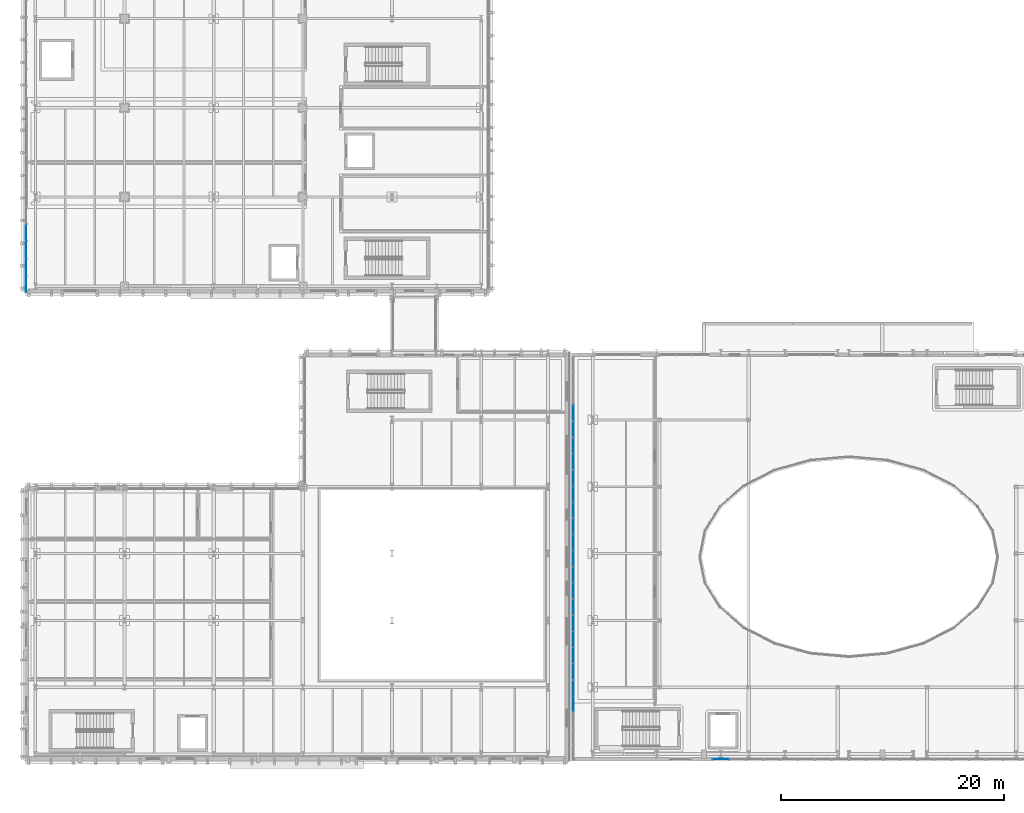
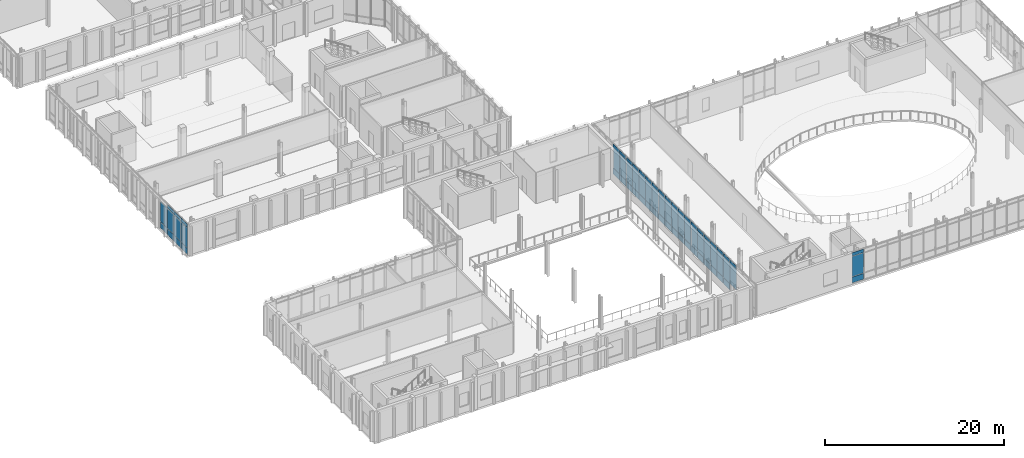
# One storey, part 48 of 100: 70 plates, 7 elements without a shape of their own.
"""IFC4 building model written with IfcOpenShell, lengths in metres."""

from ifc_helpers import new_model, si_unit, direction, frame, origin, origin_2d, place, context, subcontext, project, spatial, rectangle, extrude, material, layer, layer_set, type_object, element, aggregate, save


model = new_model("IFC4")

# Units and contexts
model_context = context("Model", 3, precision=1e-05, world=origin(), true_north=direction((0.0, 1.0)))
body_context = subcontext(model_context, "Body", "Model", "MODEL_VIEW")
ifc_project = project(units=[si_unit("LENGTHUNIT", "METRE"), si_unit("AREAUNIT", "SQUARE_METRE"), si_unit("VOLUMEUNIT", "CUBIC_METRE"), si_unit("PLANEANGLEUNIT", "RADIAN"), si_unit("MASSUNIT", "GRAM", prefix="KILO")], contexts=[model_context])

# Site, building, storey
site_placement = place(None, origin())
site = spatial("IfcSite", under=ifc_project, at=site_placement, CompositionType="ELEMENT")
building_placement = place(site_placement, origin())
building = spatial("IfcBuilding", under=site, at=building_placement, Name="Cymarion Research Institute", CompositionType="ELEMENT")
storey_placement = place(building_placement, frame((0.0, 0.0, 4.800048828125)))
storey = spatial("IfcBuildingStorey", under=building, at=storey_placement, Name="L01", CompositionType="ELEMENT", Elevation=4.800048828125)

# Curtain wall, plates
ifc_material_1 = material(Name="Anodised aluminium unitised curtain wall with Low-E glazing", Category="aluminium")
curtain_wall_type_1 = type_object("IfcCurtainWallType", Name="UNITISED CURTAIN WALL CW07 6150X4250", PredefinedType="NOTDEFINED", material=ifc_material_1)
curtain_wall_1_placement = place(storey_placement, origin())
curtain_wall_1 = element("IfcCurtainWall", 1, at=curtain_wall_1_placement, inside=storey, type_object=curtain_wall_type_1, Name="L01 V2 unitised curtain wall CW07 #13", PredefinedType="NOTDEFINED")
ifc_material_2 = material(Name="Insulated anodised aluminium spandrel panel", Category="aluminium")
ifc_layer_1 = layer(ifc_material_2, 0.06005859375)
ifc_layer_set_1 = layer_set([ifc_layer_1], Name="Insulated anodised aluminium spandrel panel")
plate_type_1 = type_object("IfcPlateType", Name="INSULATED ALUMINIUM SPANDREL PANEL SP01 60MM", PredefinedType="SHEET", material=ifc_layer_set_1)
plate_1_placement = place(storey_placement, frame((68.084716796875, 5.06005859375, 0.059814453125), z_axis=(0.0, 0.0, 1.0), x_axis=(1.0, 0.0, 0.0)))
plate_1 = element("IfcPlate", 2, at=plate_1_placement, type_object=plate_type_1, Name="CW07 panel 1.1", PredefinedType="SHEET", context=body_context, shape_type="SweptSolid", body=[
    extrude(rectangle(XDim=1.447265625, YDim=0.06005859375, at=origin_2d()), origin(), (0.0, 0.0, 1.0), 0.81005859375),
])
plate_2_placement = place(storey_placement, frame((68.084716796875, 5.06005859375, 3.72998046875), z_axis=(0.0, 0.0, 1.0), x_axis=(1.0, 0.0, 0.0)))
plate_2 = element("IfcPlate", 3, at=plate_2_placement, type_object=plate_type_1, Name="CW07 panel 1.3", PredefinedType="SHEET", context=body_context, shape_type="SweptSolid", body=[
    extrude(rectangle(XDim=1.447265625, YDim=0.06005859375, at=origin_2d()), origin(), (0.0, 0.0, 1.0), 0.4599609375),
])

curtain_wall_type_2 = type_object("IfcCurtainWallType", Name="UNITISED CURTAIN WALL CW14 7260X4250", PredefinedType="NOTDEFINED", material=ifc_material_1)
curtain_wall_2_placement = place(storey_placement, origin())
curtain_wall_2 = element("IfcCurtainWall", 4, at=curtain_wall_2_placement, inside=storey, type_object=curtain_wall_type_2, Name="L01 V2 unitised curtain wall CW14 #29", PredefinedType="NOTDEFINED")
plate_3_placement = place(storey_placement, frame((54.860107421875, 36.100830078125, 0.059814453125), z_axis=(0.0, 0.0, 1.0), x_axis=(0.0, -1.0, 0.0)))
plate_3 = element("IfcPlate", 5, at=plate_3_placement, type_object=plate_type_1, Name="CW14 panel 4.1", PredefinedType="SHEET", context=body_context, shape_type="SweptSolid", body=[
    extrude(rectangle(XDim=1.39111328125, YDim=0.06005859375, at=origin_2d()), origin(), (0.0, 0.0, 1.0), 0.81005859375),
])
plate_4_placement = place(storey_placement, frame((54.860107421875, 36.100830078125, 3.72998046875), z_axis=(0.0, 0.0, 1.0), x_axis=(0.0, -1.0, 0.0)))
plate_4 = element("IfcPlate", 6, at=plate_4_placement, type_object=plate_type_1, Name="CW14 panel 4.3", PredefinedType="SHEET", context=body_context, shape_type="SweptSolid", body=[
    extrude(rectangle(XDim=1.39111328125, YDim=0.06005859375, at=origin_2d()), origin(), (0.0, 0.0, 1.0), 0.4599609375),
])
plate_5_placement = place(storey_placement, frame((54.860107421875, 34.66455078125, 0.059814453125), z_axis=(0.0, 0.0, 1.0), x_axis=(0.0, -1.0, 0.0)))
plate_5 = element("IfcPlate", 7, at=plate_5_placement, type_object=plate_type_1, Name="CW14 panel 5.1", PredefinedType="SHEET", context=body_context, shape_type="SweptSolid", body=[
    extrude(rectangle(XDim=1.361083984375, YDim=0.06005859375, at=origin_2d()), origin(), (0.0, 0.0, 1.0), 0.81005859375),
])
plate_6_placement = place(storey_placement, frame((54.860107421875, 34.66455078125, 3.72998046875), z_axis=(0.0, 0.0, 1.0), x_axis=(0.0, -1.0, 0.0)))
plate_6 = element("IfcPlate", 8, at=plate_6_placement, type_object=plate_type_1, Name="CW14 panel 5.3", PredefinedType="SHEET", context=body_context, shape_type="SweptSolid", body=[
    extrude(rectangle(XDim=1.361083984375, YDim=0.06005859375, at=origin_2d()), origin(), (0.0, 0.0, 1.0), 0.4599609375),
])

curtain_wall_3_placement = place(storey_placement, origin())
curtain_wall_3 = element("IfcCurtainWall", 9, at=curtain_wall_3_placement, inside=storey, type_object=curtain_wall_type_2, Name="L01 V2 unitised curtain wall CW14 #30", PredefinedType="NOTDEFINED")
plate_7_placement = place(storey_placement, frame((54.860107421875, 33.183349609375, 0.059814453125), z_axis=(0.0, 0.0, 1.0), x_axis=(0.0, -1.0, 0.0)))
plate_7 = element("IfcPlate", 10, at=plate_7_placement, type_object=plate_type_1, Name="CW14 panel 1.1", PredefinedType="SHEET", context=body_context, shape_type="SweptSolid", body=[
    extrude(rectangle(XDim=1.361083984375, YDim=0.06005859375, at=origin_2d()), origin(), (0.0, 0.0, 1.0), 0.81005859375),
])
plate_8_placement = place(storey_placement, frame((54.860107421875, 33.183349609375, 3.72998046875), z_axis=(0.0, 0.0, 1.0), x_axis=(0.0, -1.0, 0.0)))
plate_8 = element("IfcPlate", 11, at=plate_8_placement, type_object=plate_type_1, Name="CW14 panel 1.3", PredefinedType="SHEET", context=body_context, shape_type="SweptSolid", body=[
    extrude(rectangle(XDim=1.361083984375, YDim=0.06005859375, at=origin_2d()), origin(), (0.0, 0.0, 1.0), 0.4599609375),
])
plate_9_placement = place(storey_placement, frame((54.860107421875, 31.747314453125, 0.059814453125), z_axis=(0.0, 0.0, 1.0), x_axis=(0.0, -1.0, 0.0)))
plate_9 = element("IfcPlate", 12, at=plate_9_placement, type_object=plate_type_1, Name="CW14 panel 2.1", PredefinedType="SHEET", context=body_context, shape_type="SweptSolid", body=[
    extrude(rectangle(XDim=1.39111328125, YDim=0.06005859375, at=origin_2d()), origin(), (0.0, 0.0, 1.0), 0.81005859375),
])
plate_10_placement = place(storey_placement, frame((54.860107421875, 31.747314453125, 3.72998046875), z_axis=(0.0, 0.0, 1.0), x_axis=(0.0, -1.0, 0.0)))
plate_10 = element("IfcPlate", 13, at=plate_10_placement, type_object=plate_type_1, Name="CW14 panel 2.3", PredefinedType="SHEET", context=body_context, shape_type="SweptSolid", body=[
    extrude(rectangle(XDim=1.39111328125, YDim=0.06005859375, at=origin_2d()), origin(), (0.0, 0.0, 1.0), 0.4599609375),
])
plate_11_placement = place(storey_placement, frame((54.860107421875, 30.2958984375, 0.059814453125), z_axis=(0.0, 0.0, 1.0), x_axis=(0.0, -1.0, 0.0)))
plate_11 = element("IfcPlate", 14, at=plate_11_placement, type_object=plate_type_1, Name="CW14 panel 3.1", PredefinedType="SHEET", context=body_context, shape_type="SweptSolid", body=[
    extrude(rectangle(XDim=1.39111328125, YDim=0.06005859375, at=origin_2d()), origin(), (0.0, 0.0, 1.0), 0.81005859375),
])
plate_12_placement = place(storey_placement, frame((54.860107421875, 30.2958984375, 3.72998046875), z_axis=(0.0, 0.0, 1.0), x_axis=(0.0, -1.0, 0.0)))
plate_12 = element("IfcPlate", 15, at=plate_12_placement, type_object=plate_type_1, Name="CW14 panel 3.3", PredefinedType="SHEET", context=body_context, shape_type="SweptSolid", body=[
    extrude(rectangle(XDim=1.39111328125, YDim=0.06005859375, at=origin_2d()), origin(), (0.0, 0.0, 1.0), 0.4599609375),
])
plate_13_placement = place(storey_placement, frame((54.860107421875, 28.8447265625, 0.059814453125), z_axis=(0.0, 0.0, 1.0), x_axis=(0.0, -1.0, 0.0)))
plate_13 = element("IfcPlate", 16, at=plate_13_placement, type_object=plate_type_1, Name="CW14 panel 4.1", PredefinedType="SHEET", context=body_context, shape_type="SweptSolid", body=[
    extrude(rectangle(XDim=1.39111328125, YDim=0.06005859375, at=origin_2d()), origin(), (0.0, 0.0, 1.0), 0.81005859375),
])
plate_14_placement = place(storey_placement, frame((54.860107421875, 28.8447265625, 3.72998046875), z_axis=(0.0, 0.0, 1.0), x_axis=(0.0, -1.0, 0.0)))
plate_14 = element("IfcPlate", 17, at=plate_14_placement, type_object=plate_type_1, Name="CW14 panel 4.3", PredefinedType="SHEET", context=body_context, shape_type="SweptSolid", body=[
    extrude(rectangle(XDim=1.39111328125, YDim=0.06005859375, at=origin_2d()), origin(), (0.0, 0.0, 1.0), 0.4599609375),
])
plate_15_placement = place(storey_placement, frame((54.860107421875, 27.40869140625, 0.059814453125), z_axis=(0.0, 0.0, 1.0), x_axis=(0.0, -1.0, 0.0)))
plate_15 = element("IfcPlate", 18, at=plate_15_placement, type_object=plate_type_1, Name="CW14 panel 5.1", PredefinedType="SHEET", context=body_context, shape_type="SweptSolid", body=[
    extrude(rectangle(XDim=1.361083984375, YDim=0.06005859375, at=origin_2d()), origin(), (0.0, 0.0, 1.0), 0.81005859375),
])
plate_16_placement = place(storey_placement, frame((54.860107421875, 27.40869140625, 3.72998046875), z_axis=(0.0, 0.0, 1.0), x_axis=(0.0, -1.0, 0.0)))
plate_16 = element("IfcPlate", 19, at=plate_16_placement, type_object=plate_type_1, Name="CW14 panel 5.3", PredefinedType="SHEET", context=body_context, shape_type="SweptSolid", body=[
    extrude(rectangle(XDim=1.361083984375, YDim=0.06005859375, at=origin_2d()), origin(), (0.0, 0.0, 1.0), 0.4599609375),
])

curtain_wall_4_placement = place(storey_placement, origin())
curtain_wall_4 = element("IfcCurtainWall", 20, at=curtain_wall_4_placement, inside=storey, type_object=curtain_wall_type_2, Name="L01 V2 unitised curtain wall CW14 #31", PredefinedType="NOTDEFINED")
plate_17_placement = place(storey_placement, frame((54.860107421875, 25.927490234375, 0.059814453125), z_axis=(0.0, 0.0, 1.0), x_axis=(0.0, -1.0, 0.0)))
plate_17 = element("IfcPlate", 21, at=plate_17_placement, type_object=plate_type_1, Name="CW14 panel 1.1", PredefinedType="SHEET", context=body_context, shape_type="SweptSolid", body=[
    extrude(rectangle(XDim=1.361083984375, YDim=0.06005859375, at=origin_2d()), origin(), (0.0, 0.0, 1.0), 0.81005859375),
])
plate_18_placement = place(storey_placement, frame((54.860107421875, 25.927490234375, 3.72998046875), z_axis=(0.0, 0.0, 1.0), x_axis=(0.0, -1.0, 0.0)))
plate_18 = element("IfcPlate", 22, at=plate_18_placement, type_object=plate_type_1, Name="CW14 panel 1.3", PredefinedType="SHEET", context=body_context, shape_type="SweptSolid", body=[
    extrude(rectangle(XDim=1.361083984375, YDim=0.06005859375, at=origin_2d()), origin(), (0.0, 0.0, 1.0), 0.4599609375),
])
plate_19_placement = place(storey_placement, frame((54.860107421875, 24.4912109375, 0.059814453125), z_axis=(0.0, 0.0, 1.0), x_axis=(0.0, -1.0, 0.0)))
plate_19 = element("IfcPlate", 23, at=plate_19_placement, type_object=plate_type_1, Name="CW14 panel 2.1", PredefinedType="SHEET", context=body_context, shape_type="SweptSolid", body=[
    extrude(rectangle(XDim=1.39111328125, YDim=0.06005859375, at=origin_2d()), origin(), (0.0, 0.0, 1.0), 0.81005859375),
])
plate_20_placement = place(storey_placement, frame((54.860107421875, 24.4912109375, 3.72998046875), z_axis=(0.0, 0.0, 1.0), x_axis=(0.0, -1.0, 0.0)))
plate_20 = element("IfcPlate", 24, at=plate_20_placement, type_object=plate_type_1, Name="CW14 panel 2.3", PredefinedType="SHEET", context=body_context, shape_type="SweptSolid", body=[
    extrude(rectangle(XDim=1.39111328125, YDim=0.06005859375, at=origin_2d()), origin(), (0.0, 0.0, 1.0), 0.4599609375),
])
plate_21_placement = place(storey_placement, frame((54.860107421875, 23.0400390625, 0.059814453125), z_axis=(0.0, 0.0, 1.0), x_axis=(0.0, -1.0, 0.0)))
plate_21 = element("IfcPlate", 25, at=plate_21_placement, type_object=plate_type_1, Name="CW14 panel 3.1", PredefinedType="SHEET", context=body_context, shape_type="SweptSolid", body=[
    extrude(rectangle(XDim=1.39111328125, YDim=0.06005859375, at=origin_2d()), origin(), (0.0, 0.0, 1.0), 0.81005859375),
])
plate_22_placement = place(storey_placement, frame((54.860107421875, 23.0400390625, 3.72998046875), z_axis=(0.0, 0.0, 1.0), x_axis=(0.0, -1.0, 0.0)))
plate_22 = element("IfcPlate", 26, at=plate_22_placement, type_object=plate_type_1, Name="CW14 panel 3.3", PredefinedType="SHEET", context=body_context, shape_type="SweptSolid", body=[
    extrude(rectangle(XDim=1.39111328125, YDim=0.06005859375, at=origin_2d()), origin(), (0.0, 0.0, 1.0), 0.4599609375),
])
plate_23_placement = place(storey_placement, frame((54.860107421875, 21.5888671875, 0.059814453125), z_axis=(0.0, 0.0, 1.0), x_axis=(0.0, -1.0, 0.0)))
plate_23 = element("IfcPlate", 27, at=plate_23_placement, type_object=plate_type_1, Name="CW14 panel 4.1", PredefinedType="SHEET", context=body_context, shape_type="SweptSolid", body=[
    extrude(rectangle(XDim=1.39111328125, YDim=0.06005859375, at=origin_2d()), origin(), (0.0, 0.0, 1.0), 0.81005859375),
])
plate_24_placement = place(storey_placement, frame((54.860107421875, 21.5888671875, 3.72998046875), z_axis=(0.0, 0.0, 1.0), x_axis=(0.0, -1.0, 0.0)))
plate_24 = element("IfcPlate", 28, at=plate_24_placement, type_object=plate_type_1, Name="CW14 panel 4.3", PredefinedType="SHEET", context=body_context, shape_type="SweptSolid", body=[
    extrude(rectangle(XDim=1.39111328125, YDim=0.06005859375, at=origin_2d()), origin(), (0.0, 0.0, 1.0), 0.4599609375),
])
plate_25_placement = place(storey_placement, frame((54.860107421875, 20.152587890625, 0.059814453125), z_axis=(0.0, 0.0, 1.0), x_axis=(0.0, -1.0, 0.0)))
plate_25 = element("IfcPlate", 29, at=plate_25_placement, type_object=plate_type_1, Name="CW14 panel 5.1", PredefinedType="SHEET", context=body_context, shape_type="SweptSolid", body=[
    extrude(rectangle(XDim=1.361083984375, YDim=0.06005859375, at=origin_2d()), origin(), (0.0, 0.0, 1.0), 0.81005859375),
])
plate_26_placement = place(storey_placement, frame((54.860107421875, 20.152587890625, 3.72998046875), z_axis=(0.0, 0.0, 1.0), x_axis=(0.0, -1.0, 0.0)))
plate_26 = element("IfcPlate", 30, at=plate_26_placement, type_object=plate_type_1, Name="CW14 panel 5.3", PredefinedType="SHEET", context=body_context, shape_type="SweptSolid", body=[
    extrude(rectangle(XDim=1.361083984375, YDim=0.06005859375, at=origin_2d()), origin(), (0.0, 0.0, 1.0), 0.4599609375),
])

curtain_wall_5_placement = place(storey_placement, origin())
curtain_wall_5 = element("IfcCurtainWall", 31, at=curtain_wall_5_placement, inside=storey, type_object=curtain_wall_type_2, Name="L01 V2 unitised curtain wall CW14 #32", PredefinedType="NOTDEFINED")
plate_27_placement = place(storey_placement, frame((54.860107421875, 18.67138671875, 0.059814453125), z_axis=(0.0, 0.0, 1.0), x_axis=(0.0, -1.0, 0.0)))
plate_27 = element("IfcPlate", 32, at=plate_27_placement, type_object=plate_type_1, Name="CW14 panel 1.1", PredefinedType="SHEET", context=body_context, shape_type="SweptSolid", body=[
    extrude(rectangle(XDim=1.361083984375, YDim=0.06005859375, at=origin_2d()), origin(), (0.0, 0.0, 1.0), 0.81005859375),
])
plate_28_placement = place(storey_placement, frame((54.860107421875, 18.67138671875, 3.72998046875), z_axis=(0.0, 0.0, 1.0), x_axis=(0.0, -1.0, 0.0)))
plate_28 = element("IfcPlate", 33, at=plate_28_placement, type_object=plate_type_1, Name="CW14 panel 1.3", PredefinedType="SHEET", context=body_context, shape_type="SweptSolid", body=[
    extrude(rectangle(XDim=1.361083984375, YDim=0.06005859375, at=origin_2d()), origin(), (0.0, 0.0, 1.0), 0.4599609375),
])
plate_29_placement = place(storey_placement, frame((54.860107421875, 17.235107421875, 0.059814453125), z_axis=(0.0, 0.0, 1.0), x_axis=(0.0, -1.0, 0.0)))
plate_29 = element("IfcPlate", 34, at=plate_29_placement, type_object=plate_type_1, Name="CW14 panel 2.1", PredefinedType="SHEET", context=body_context, shape_type="SweptSolid", body=[
    extrude(rectangle(XDim=1.39111328125, YDim=0.06005859375, at=origin_2d()), origin(), (0.0, 0.0, 1.0), 0.81005859375),
])
plate_30_placement = place(storey_placement, frame((54.860107421875, 17.235107421875, 3.72998046875), z_axis=(0.0, 0.0, 1.0), x_axis=(0.0, -1.0, 0.0)))
plate_30 = element("IfcPlate", 35, at=plate_30_placement, type_object=plate_type_1, Name="CW14 panel 2.3", PredefinedType="SHEET", context=body_context, shape_type="SweptSolid", body=[
    extrude(rectangle(XDim=1.39111328125, YDim=0.06005859375, at=origin_2d()), origin(), (0.0, 0.0, 1.0), 0.4599609375),
])
plate_31_placement = place(storey_placement, frame((54.860107421875, 15.783935546875, 0.059814453125), z_axis=(0.0, 0.0, 1.0), x_axis=(0.0, -1.0, 0.0)))
plate_31 = element("IfcPlate", 36, at=plate_31_placement, type_object=plate_type_1, Name="CW14 panel 3.1", PredefinedType="SHEET", context=body_context, shape_type="SweptSolid", body=[
    extrude(rectangle(XDim=1.39111328125, YDim=0.06005859375, at=origin_2d()), origin(), (0.0, 0.0, 1.0), 0.81005859375),
])
plate_32_placement = place(storey_placement, frame((54.860107421875, 15.783935546875, 3.72998046875), z_axis=(0.0, 0.0, 1.0), x_axis=(0.0, -1.0, 0.0)))
plate_32 = element("IfcPlate", 37, at=plate_32_placement, type_object=plate_type_1, Name="CW14 panel 3.3", PredefinedType="SHEET", context=body_context, shape_type="SweptSolid", body=[
    extrude(rectangle(XDim=1.39111328125, YDim=0.06005859375, at=origin_2d()), origin(), (0.0, 0.0, 1.0), 0.4599609375),
])
plate_33_placement = place(storey_placement, frame((54.860107421875, 14.332763671875, 0.059814453125), z_axis=(0.0, 0.0, 1.0), x_axis=(0.0, -1.0, 0.0)))
plate_33 = element("IfcPlate", 38, at=plate_33_placement, type_object=plate_type_1, Name="CW14 panel 4.1", PredefinedType="SHEET", context=body_context, shape_type="SweptSolid", body=[
    extrude(rectangle(XDim=1.39111328125, YDim=0.06005859375, at=origin_2d()), origin(), (0.0, 0.0, 1.0), 0.81005859375),
])
plate_34_placement = place(storey_placement, frame((54.860107421875, 14.332763671875, 3.72998046875), z_axis=(0.0, 0.0, 1.0), x_axis=(0.0, -1.0, 0.0)))
plate_34 = element("IfcPlate", 39, at=plate_34_placement, type_object=plate_type_1, Name="CW14 panel 4.3", PredefinedType="SHEET", context=body_context, shape_type="SweptSolid", body=[
    extrude(rectangle(XDim=1.39111328125, YDim=0.06005859375, at=origin_2d()), origin(), (0.0, 0.0, 1.0), 0.4599609375),
])
plate_35_placement = place(storey_placement, frame((54.860107421875, 12.896484375, 0.059814453125), z_axis=(0.0, 0.0, 1.0), x_axis=(0.0, -1.0, 0.0)))
plate_35 = element("IfcPlate", 40, at=plate_35_placement, type_object=plate_type_1, Name="CW14 panel 5.1", PredefinedType="SHEET", context=body_context, shape_type="SweptSolid", body=[
    extrude(rectangle(XDim=1.361083984375, YDim=0.06005859375, at=origin_2d()), origin(), (0.0, 0.0, 1.0), 0.81005859375),
])
plate_36_placement = place(storey_placement, frame((54.860107421875, 12.896484375, 3.72998046875), z_axis=(0.0, 0.0, 1.0), x_axis=(0.0, -1.0, 0.0)))
plate_36 = element("IfcPlate", 41, at=plate_36_placement, type_object=plate_type_1, Name="CW14 panel 5.3", PredefinedType="SHEET", context=body_context, shape_type="SweptSolid", body=[
    extrude(rectangle(XDim=1.361083984375, YDim=0.06005859375, at=origin_2d()), origin(), (0.0, 0.0, 1.0), 0.4599609375),
])

curtain_wall_6_placement = place(storey_placement, origin())
curtain_wall_6 = element("IfcCurtainWall", 42, at=curtain_wall_6_placement, inside=storey, type_object=curtain_wall_type_2, Name="L01 V2 unitised curtain wall CW14 #33", PredefinedType="NOTDEFINED")
plate_37_placement = place(storey_placement, frame((54.860107421875, 11.415283203125, 0.059814453125), z_axis=(0.0, 0.0, 1.0), x_axis=(0.0, -1.0, 0.0)))
plate_37 = element("IfcPlate", 43, at=plate_37_placement, type_object=plate_type_1, Name="CW14 panel 1.1", PredefinedType="SHEET", context=body_context, shape_type="SweptSolid", body=[
    extrude(rectangle(XDim=1.361083984375, YDim=0.06005859375, at=origin_2d()), origin(), (0.0, 0.0, 1.0), 0.81005859375),
])
plate_38_placement = place(storey_placement, frame((54.860107421875, 11.415283203125, 3.72998046875), z_axis=(0.0, 0.0, 1.0), x_axis=(0.0, -1.0, 0.0)))
plate_38 = element("IfcPlate", 44, at=plate_38_placement, type_object=plate_type_1, Name="CW14 panel 1.3", PredefinedType="SHEET", context=body_context, shape_type="SweptSolid", body=[
    extrude(rectangle(XDim=1.361083984375, YDim=0.06005859375, at=origin_2d()), origin(), (0.0, 0.0, 1.0), 0.4599609375),
])
plate_39_placement = place(storey_placement, frame((54.860107421875, 9.979248046875, 3.72998046875), z_axis=(0.0, 0.0, 1.0), x_axis=(0.0, -1.0, 0.0)))
plate_39 = element("IfcPlate", 45, at=plate_39_placement, type_object=plate_type_1, Name="CW14 panel 2.3", PredefinedType="SHEET", context=body_context, shape_type="SweptSolid", body=[
    extrude(rectangle(XDim=1.39111328125, YDim=0.06005859375, at=origin_2d()), origin(), (0.0, 0.0, 1.0), 0.4599609375),
])

curtain_wall_type_3 = type_object("IfcCurtainWallType", Name="UNITISED CURTAIN WALL CW22 6180X4250", PredefinedType="NOTDEFINED", material=ifc_material_1)
curtain_wall_7_placement = place(storey_placement, origin())
curtain_wall_7 = element("IfcCurtainWall", 46, at=curtain_wall_7_placement, inside=storey, type_object=curtain_wall_type_3, Name="L01 V4 unitised curtain wall CW22 #48", PredefinedType="NOTDEFINED")
plate_40_placement = place(storey_placement, frame((5.77001953125, 52.28857421875, 0.059814453125), z_axis=(0.0, 0.0, 1.0), x_axis=(0.0, -1.0, 0.0)))
plate_40 = element("IfcPlate", 47, at=plate_40_placement, type_object=plate_type_1, Name="CW22 panel 1.1", PredefinedType="SHEET", context=body_context, shape_type="SweptSolid", body=[
    extrude(rectangle(XDim=1.453857421875, YDim=0.06005859375, at=origin_2d()), origin(), (0.0, 0.0, 1.0), 0.81005859375),
])
plate_41_placement = place(storey_placement, frame((5.77001953125, 50.759765625, 0.059814453125), z_axis=(0.0, 0.0, 1.0), x_axis=(0.0, -1.0, 0.0)))
plate_41 = element("IfcPlate", 48, at=plate_41_placement, type_object=plate_type_1, Name="CW22 panel 2.1", PredefinedType="SHEET", context=body_context, shape_type="SweptSolid", body=[
    extrude(rectangle(XDim=1.48388671875, YDim=0.06005859375, at=origin_2d()), origin(), (0.0, 0.0, 1.0), 0.81005859375),
])
plate_42_placement = place(storey_placement, frame((5.77001953125, 50.759765625, 3.72998046875), z_axis=(0.0, 0.0, 1.0), x_axis=(0.0, -1.0, 0.0)))
plate_42 = element("IfcPlate", 49, at=plate_42_placement, type_object=plate_type_1, Name="CW22 panel 2.3", PredefinedType="SHEET", context=body_context, shape_type="SweptSolid", body=[
    extrude(rectangle(XDim=1.48388671875, YDim=0.06005859375, at=origin_2d()), origin(), (0.0, 0.0, 1.0), 0.4599609375),
])
plate_43_placement = place(storey_placement, frame((5.77001953125, 49.2158203125, 0.059814453125), z_axis=(0.0, 0.0, 1.0), x_axis=(0.0, -1.0, 0.0)))
plate_43 = element("IfcPlate", 50, at=plate_43_placement, type_object=plate_type_1, Name="CW22 panel 3.1", PredefinedType="SHEET", context=body_context, shape_type="SweptSolid", body=[
    extrude(rectangle(XDim=1.48388671875, YDim=0.06005859375, at=origin_2d()), origin(), (0.0, 0.0, 1.0), 0.81005859375),
])
plate_44_placement = place(storey_placement, frame((5.77001953125, 49.2158203125, 3.72998046875), z_axis=(0.0, 0.0, 1.0), x_axis=(0.0, -1.0, 0.0)))
plate_44 = element("IfcPlate", 51, at=plate_44_placement, type_object=plate_type_1, Name="CW22 panel 3.3", PredefinedType="SHEET", context=body_context, shape_type="SweptSolid", body=[
    extrude(rectangle(XDim=1.48388671875, YDim=0.06005859375, at=origin_2d()), origin(), (0.0, 0.0, 1.0), 0.4599609375),
])
plate_45_placement = place(storey_placement, frame((5.77001953125, 47.68701171875, 0.059814453125), z_axis=(0.0, 0.0, 1.0), x_axis=(0.0, -1.0, 0.0)))
plate_45 = element("IfcPlate", 52, at=plate_45_placement, type_object=plate_type_1, Name="CW22 panel 4.1", PredefinedType="SHEET", context=body_context, shape_type="SweptSolid", body=[
    extrude(rectangle(XDim=1.453857421875, YDim=0.06005859375, at=origin_2d()), origin(), (0.0, 0.0, 1.0), 0.81005859375),
])
plate_46_placement = place(storey_placement, frame((5.77001953125, 47.68701171875, 3.72998046875), z_axis=(0.0, 0.0, 1.0), x_axis=(0.0, -1.0, 0.0)))
plate_46 = element("IfcPlate", 53, at=plate_46_placement, type_object=plate_type_1, Name="CW22 panel 4.3", PredefinedType="SHEET", context=body_context, shape_type="SweptSolid", body=[
    extrude(rectangle(XDim=1.453857421875, YDim=0.06005859375, at=origin_2d()), origin(), (0.0, 0.0, 1.0), 0.4599609375),
])

# Plate
ifc_material_3 = material(Name="Low-E double solar-control glazing", Category="glass")
ifc_layer_2 = layer(ifc_material_3, 0.035888671875)
ifc_layer_set_2 = layer_set([ifc_layer_2], Name="Low-E double solar-control glazing")
plate_type_2 = type_object("IfcPlateType", Name="SOLAR CONTROL GLAZED VISION PANEL GP01 36MM", PredefinedType="CURTAIN_PANEL", material=ifc_layer_set_2)
plate_47_placement = place(storey_placement, frame((68.084716796875, 5.06005859375, 0.93017578125), z_axis=(0.0, 0.0, 1.0), x_axis=(1.0, 0.0, 0.0)))
plate_47 = element("IfcPlate", 54, at=plate_47_placement, type_object=plate_type_2, Name="CW07 panel 1.2", PredefinedType="CURTAIN_PANEL", context=body_context, shape_type="SweptSolid", body=[
    extrude(rectangle(XDim=1.447265625, YDim=0.035888671875, at=origin_2d()), origin(), (0.0, 0.0, 1.0), 2.739990234375),
])

aggregate(curtain_wall_1, [plate_1, plate_47, plate_2])

plate_48_placement = place(storey_placement, frame((54.860107421875, 36.100830078125, 0.93017578125), z_axis=(0.0, 0.0, 1.0), x_axis=(0.0, -1.0, 0.0)))
plate_48 = element("IfcPlate", 55, at=plate_48_placement, type_object=plate_type_2, Name="CW14 panel 4.2", PredefinedType="CURTAIN_PANEL", context=body_context, shape_type="SweptSolid", body=[
    extrude(rectangle(XDim=1.39111328125, YDim=0.035888671875, at=origin_2d()), origin(), (0.0, 0.0, 1.0), 2.739990234375),
])

plate_49_placement = place(storey_placement, frame((54.860107421875, 34.66455078125, 0.93017578125), z_axis=(0.0, 0.0, 1.0), x_axis=(0.0, -1.0, 0.0)))
plate_49 = element("IfcPlate", 56, at=plate_49_placement, type_object=plate_type_2, Name="CW14 panel 5.2", PredefinedType="CURTAIN_PANEL", context=body_context, shape_type="SweptSolid", body=[
    extrude(rectangle(XDim=1.361083984375, YDim=0.035888671875, at=origin_2d()), origin(), (0.0, 0.0, 1.0), 2.739990234375),
])

aggregate(curtain_wall_2, [plate_3, plate_48, plate_4, plate_5, plate_49, plate_6])

plate_50_placement = place(storey_placement, frame((54.860107421875, 33.183349609375, 0.93017578125), z_axis=(0.0, 0.0, 1.0), x_axis=(0.0, -1.0, 0.0)))
plate_50 = element("IfcPlate", 57, at=plate_50_placement, type_object=plate_type_2, Name="CW14 panel 1.2", PredefinedType="CURTAIN_PANEL", context=body_context, shape_type="SweptSolid", body=[
    extrude(rectangle(XDim=1.361083984375, YDim=0.035888671875, at=origin_2d()), origin(), (0.0, 0.0, 1.0), 2.739990234375),
])

plate_51_placement = place(storey_placement, frame((54.860107421875, 31.747314453125, 0.93017578125), z_axis=(0.0, 0.0, 1.0), x_axis=(0.0, -1.0, 0.0)))
plate_51 = element("IfcPlate", 58, at=plate_51_placement, type_object=plate_type_2, Name="CW14 panel 2.2", PredefinedType="CURTAIN_PANEL", context=body_context, shape_type="SweptSolid", body=[
    extrude(rectangle(XDim=1.39111328125, YDim=0.035888671875, at=origin_2d()), origin(), (0.0, 0.0, 1.0), 2.739990234375),
])

plate_52_placement = place(storey_placement, frame((54.860107421875, 30.2958984375, 0.93017578125), z_axis=(0.0, 0.0, 1.0), x_axis=(0.0, -1.0, 0.0)))
plate_52 = element("IfcPlate", 59, at=plate_52_placement, type_object=plate_type_2, Name="CW14 panel 3.2", PredefinedType="CURTAIN_PANEL", context=body_context, shape_type="SweptSolid", body=[
    extrude(rectangle(XDim=1.39111328125, YDim=0.035888671875, at=origin_2d()), origin(), (0.0, 0.0, 1.0), 2.739990234375),
])

plate_53_placement = place(storey_placement, frame((54.860107421875, 28.8447265625, 0.93017578125), z_axis=(0.0, 0.0, 1.0), x_axis=(0.0, -1.0, 0.0)))
plate_53 = element("IfcPlate", 60, at=plate_53_placement, type_object=plate_type_2, Name="CW14 panel 4.2", PredefinedType="CURTAIN_PANEL", context=body_context, shape_type="SweptSolid", body=[
    extrude(rectangle(XDim=1.39111328125, YDim=0.035888671875, at=origin_2d()), origin(), (0.0, 0.0, 1.0), 2.739990234375),
])

plate_54_placement = place(storey_placement, frame((54.860107421875, 27.40869140625, 0.93017578125), z_axis=(0.0, 0.0, 1.0), x_axis=(0.0, -1.0, 0.0)))
plate_54 = element("IfcPlate", 61, at=plate_54_placement, type_object=plate_type_2, Name="CW14 panel 5.2", PredefinedType="CURTAIN_PANEL", context=body_context, shape_type="SweptSolid", body=[
    extrude(rectangle(XDim=1.361083984375, YDim=0.035888671875, at=origin_2d()), origin(), (0.0, 0.0, 1.0), 2.739990234375),
])

aggregate(curtain_wall_3, [plate_7, plate_50, plate_8, plate_9, plate_51, plate_10, plate_11, plate_52, plate_12, plate_13, plate_53, plate_14, plate_15, plate_54, plate_16])

plate_55_placement = place(storey_placement, frame((54.860107421875, 25.927490234375, 0.93017578125), z_axis=(0.0, 0.0, 1.0), x_axis=(0.0, -1.0, 0.0)))
plate_55 = element("IfcPlate", 62, at=plate_55_placement, type_object=plate_type_2, Name="CW14 panel 1.2", PredefinedType="CURTAIN_PANEL", context=body_context, shape_type="SweptSolid", body=[
    extrude(rectangle(XDim=1.361083984375, YDim=0.035888671875, at=origin_2d()), origin(), (0.0, 0.0, 1.0), 2.739990234375),
])

plate_56_placement = place(storey_placement, frame((54.860107421875, 24.4912109375, 0.93017578125), z_axis=(0.0, 0.0, 1.0), x_axis=(0.0, -1.0, 0.0)))
plate_56 = element("IfcPlate", 63, at=plate_56_placement, type_object=plate_type_2, Name="CW14 panel 2.2", PredefinedType="CURTAIN_PANEL", context=body_context, shape_type="SweptSolid", body=[
    extrude(rectangle(XDim=1.39111328125, YDim=0.035888671875, at=origin_2d()), origin(), (0.0, 0.0, 1.0), 2.739990234375),
])

plate_57_placement = place(storey_placement, frame((54.860107421875, 23.0400390625, 0.93017578125), z_axis=(0.0, 0.0, 1.0), x_axis=(0.0, -1.0, 0.0)))
plate_57 = element("IfcPlate", 64, at=plate_57_placement, type_object=plate_type_2, Name="CW14 panel 3.2", PredefinedType="CURTAIN_PANEL", context=body_context, shape_type="SweptSolid", body=[
    extrude(rectangle(XDim=1.39111328125, YDim=0.035888671875, at=origin_2d()), origin(), (0.0, 0.0, 1.0), 2.739990234375),
])

plate_58_placement = place(storey_placement, frame((54.860107421875, 21.5888671875, 0.93017578125), z_axis=(0.0, 0.0, 1.0), x_axis=(0.0, -1.0, 0.0)))
plate_58 = element("IfcPlate", 65, at=plate_58_placement, type_object=plate_type_2, Name="CW14 panel 4.2", PredefinedType="CURTAIN_PANEL", context=body_context, shape_type="SweptSolid", body=[
    extrude(rectangle(XDim=1.39111328125, YDim=0.035888671875, at=origin_2d()), origin(), (0.0, 0.0, 1.0), 2.739990234375),
])

plate_59_placement = place(storey_placement, frame((54.860107421875, 20.152587890625, 0.93017578125), z_axis=(0.0, 0.0, 1.0), x_axis=(0.0, -1.0, 0.0)))
plate_59 = element("IfcPlate", 66, at=plate_59_placement, type_object=plate_type_2, Name="CW14 panel 5.2", PredefinedType="CURTAIN_PANEL", context=body_context, shape_type="SweptSolid", body=[
    extrude(rectangle(XDim=1.361083984375, YDim=0.035888671875, at=origin_2d()), origin(), (0.0, 0.0, 1.0), 2.739990234375),
])

aggregate(curtain_wall_4, [plate_17, plate_55, plate_18, plate_19, plate_56, plate_20, plate_21, plate_57, plate_22, plate_23, plate_58, plate_24, plate_25, plate_59, plate_26])

plate_60_placement = place(storey_placement, frame((54.860107421875, 18.67138671875, 0.93017578125), z_axis=(0.0, 0.0, 1.0), x_axis=(0.0, -1.0, 0.0)))
plate_60 = element("IfcPlate", 67, at=plate_60_placement, type_object=plate_type_2, Name="CW14 panel 1.2", PredefinedType="CURTAIN_PANEL", context=body_context, shape_type="SweptSolid", body=[
    extrude(rectangle(XDim=1.361083984375, YDim=0.035888671875, at=origin_2d()), origin(), (0.0, 0.0, 1.0), 2.739990234375),
])

plate_61_placement = place(storey_placement, frame((54.860107421875, 17.235107421875, 0.93017578125), z_axis=(0.0, 0.0, 1.0), x_axis=(0.0, -1.0, 0.0)))
plate_61 = element("IfcPlate", 68, at=plate_61_placement, type_object=plate_type_2, Name="CW14 panel 2.2", PredefinedType="CURTAIN_PANEL", context=body_context, shape_type="SweptSolid", body=[
    extrude(rectangle(XDim=1.39111328125, YDim=0.035888671875, at=origin_2d()), origin(), (0.0, 0.0, 1.0), 2.739990234375),
])

plate_62_placement = place(storey_placement, frame((54.860107421875, 15.783935546875, 0.93017578125), z_axis=(0.0, 0.0, 1.0), x_axis=(0.0, -1.0, 0.0)))
plate_62 = element("IfcPlate", 69, at=plate_62_placement, type_object=plate_type_2, Name="CW14 panel 3.2", PredefinedType="CURTAIN_PANEL", context=body_context, shape_type="SweptSolid", body=[
    extrude(rectangle(XDim=1.39111328125, YDim=0.035888671875, at=origin_2d()), origin(), (0.0, 0.0, 1.0), 2.739990234375),
])

plate_63_placement = place(storey_placement, frame((54.860107421875, 14.332763671875, 0.93017578125), z_axis=(0.0, 0.0, 1.0), x_axis=(0.0, -1.0, 0.0)))
plate_63 = element("IfcPlate", 70, at=plate_63_placement, type_object=plate_type_2, Name="CW14 panel 4.2", PredefinedType="CURTAIN_PANEL", context=body_context, shape_type="SweptSolid", body=[
    extrude(rectangle(XDim=1.39111328125, YDim=0.035888671875, at=origin_2d()), origin(), (0.0, 0.0, 1.0), 2.739990234375),
])

plate_64_placement = place(storey_placement, frame((54.860107421875, 12.896484375, 0.93017578125), z_axis=(0.0, 0.0, 1.0), x_axis=(0.0, -1.0, 0.0)))
plate_64 = element("IfcPlate", 71, at=plate_64_placement, type_object=plate_type_2, Name="CW14 panel 5.2", PredefinedType="CURTAIN_PANEL", context=body_context, shape_type="SweptSolid", body=[
    extrude(rectangle(XDim=1.361083984375, YDim=0.035888671875, at=origin_2d()), origin(), (0.0, 0.0, 1.0), 2.739990234375),
])

aggregate(curtain_wall_5, [plate_27, plate_60, plate_28, plate_29, plate_61, plate_30, plate_31, plate_62, plate_32, plate_33, plate_63, plate_34, plate_35, plate_64, plate_36])

plate_65_placement = place(storey_placement, frame((54.860107421875, 11.415283203125, 0.93017578125), z_axis=(0.0, 0.0, 1.0), x_axis=(0.0, -1.0, 0.0)))
plate_65 = element("IfcPlate", 72, at=plate_65_placement, type_object=plate_type_2, Name="CW14 panel 1.2", PredefinedType="CURTAIN_PANEL", context=body_context, shape_type="SweptSolid", body=[
    extrude(rectangle(XDim=1.361083984375, YDim=0.035888671875, at=origin_2d()), origin(), (0.0, 0.0, 1.0), 2.739990234375),
])

plate_66_placement = place(storey_placement, frame((54.860107421875, 9.979248046875, 0.93017578125), z_axis=(0.0, 0.0, 1.0), x_axis=(0.0, -1.0, 0.0)))
plate_66 = element("IfcPlate", 73, at=plate_66_placement, type_object=plate_type_2, Name="CW14 panel 2.2", PredefinedType="CURTAIN_PANEL", context=body_context, shape_type="SweptSolid", body=[
    extrude(rectangle(XDim=1.39111328125, YDim=0.035888671875, at=origin_2d()), origin(), (0.0, 0.0, 1.0), 2.739990234375),
])

aggregate(curtain_wall_6, [plate_37, plate_65, plate_38, plate_66, plate_39])

plate_67_placement = place(storey_placement, frame((5.77001953125, 52.28857421875, 0.93017578125), z_axis=(0.0, 0.0, 1.0), x_axis=(0.0, -1.0, 0.0)))
plate_67 = element("IfcPlate", 74, at=plate_67_placement, type_object=plate_type_2, Name="CW22 panel 1.2", PredefinedType="CURTAIN_PANEL", context=body_context, shape_type="SweptSolid", body=[
    extrude(rectangle(XDim=1.453857421875, YDim=0.035888671875, at=origin_2d()), origin(), (0.0, 0.0, 1.0), 2.739990234375),
])

plate_68_placement = place(storey_placement, frame((5.77001953125, 50.759765625, 0.93017578125), z_axis=(0.0, 0.0, 1.0), x_axis=(0.0, -1.0, 0.0)))
plate_68 = element("IfcPlate", 75, at=plate_68_placement, type_object=plate_type_2, Name="CW22 panel 2.2", PredefinedType="CURTAIN_PANEL", context=body_context, shape_type="SweptSolid", body=[
    extrude(rectangle(XDim=1.48388671875, YDim=0.035888671875, at=origin_2d()), origin(), (0.0, 0.0, 1.0), 2.739990234375),
])

plate_69_placement = place(storey_placement, frame((5.77001953125, 49.2158203125, 0.93017578125), z_axis=(0.0, 0.0, 1.0), x_axis=(0.0, -1.0, 0.0)))
plate_69 = element("IfcPlate", 76, at=plate_69_placement, type_object=plate_type_2, Name="CW22 panel 3.2", PredefinedType="CURTAIN_PANEL", context=body_context, shape_type="SweptSolid", body=[
    extrude(rectangle(XDim=1.48388671875, YDim=0.035888671875, at=origin_2d()), origin(), (0.0, 0.0, 1.0), 2.739990234375),
])

plate_70_placement = place(storey_placement, frame((5.77001953125, 47.68701171875, 0.93017578125), z_axis=(0.0, 0.0, 1.0), x_axis=(0.0, -1.0, 0.0)))
plate_70 = element("IfcPlate", 77, at=plate_70_placement, type_object=plate_type_2, Name="CW22 panel 4.2", PredefinedType="CURTAIN_PANEL", context=body_context, shape_type="SweptSolid", body=[
    extrude(rectangle(XDim=1.453857421875, YDim=0.035888671875, at=origin_2d()), origin(), (0.0, 0.0, 1.0), 2.739990234375),
])

aggregate(curtain_wall_7, [plate_40, plate_67, plate_41, plate_68, plate_42, plate_43, plate_69, plate_44, plate_45, plate_70, plate_46])

save(model, "model.ifc")
